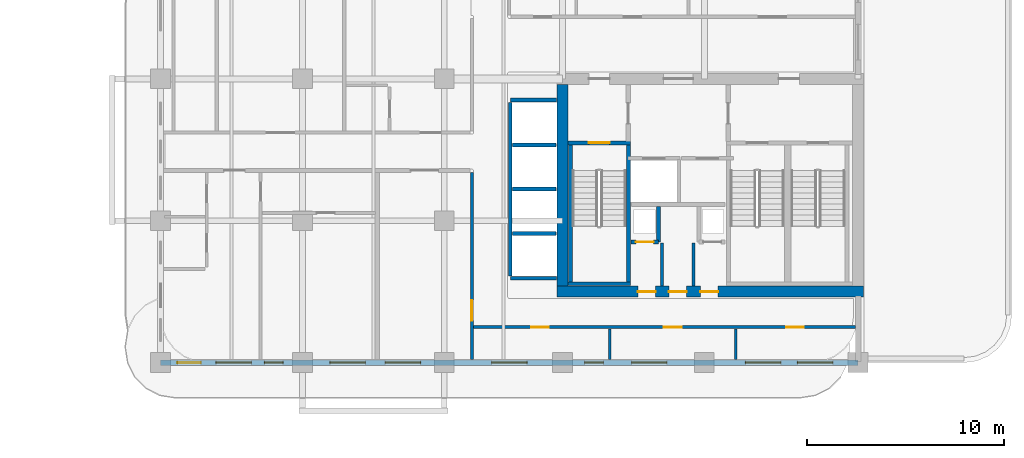
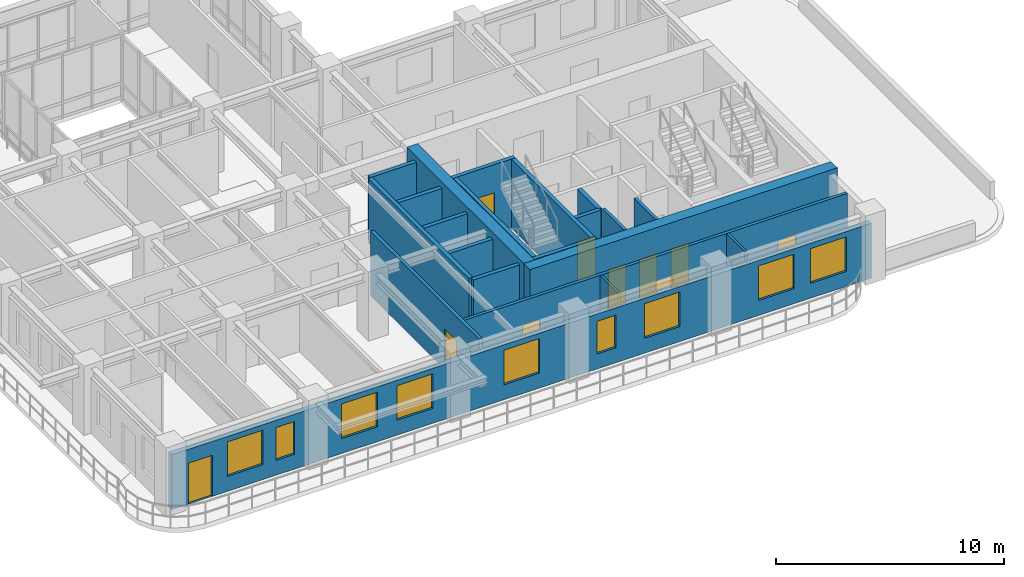
# One storey, part 12 of 20: 21 walls, 10 doors, 9 windows, 19 openings.
"""IFC4 building model written with IfcOpenShell, lengths in metres."""

from ifc_helpers import new_model, si_unit, derived_unit, direction, frame, frame_2d, origin, place, context, subcontext, project, spatial, rectangle, extrude, source, transform, mapped, material, layer, layer_set, type_object, type_shapes, element, fill, save


model = new_model("IFC4")

# Units and contexts
model_context = context("Model", 3, precision=1e-05, world=origin(), true_north=direction((0.0, 1.0)))
body_context = subcontext(model_context, "Body", "Model", "MODEL_VIEW")
ifc_project = project(units=[si_unit("LENGTHUNIT", "METRE"), si_unit("AREAUNIT", "SQUARE_METRE"), si_unit("VOLUMEUNIT", "CUBIC_METRE"), si_unit("PLANEANGLEUNIT", "RADIAN"), si_unit("MASSUNIT", "GRAM", prefix="KILO"), si_unit("THERMODYNAMICTEMPERATUREUNIT", "KELVIN"), si_unit("POWERUNIT", "WATT"), derived_unit("THERMALTRANSMITTANCEUNIT", [(si_unit("POWERUNIT", "WATT"), 1), (si_unit("AREAUNIT", "SQUARE_METRE"), -1), (si_unit("THERMODYNAMICTEMPERATUREUNIT", "KELVIN"), -1)])], contexts=[model_context])

# Site, building, storey
site_placement = place(None, origin())
site = spatial("IfcSite", under=ifc_project, at=site_placement, CompositionType="ELEMENT")
building_placement = place(site_placement, origin())
building = spatial("IfcBuilding", under=site, at=building_placement, Name="Zahravan Archway Hotel and Residences", CompositionType="ELEMENT")
storey_placement = place(building_placement, frame((0.0, 0.0, 111.800048828125)))
storey = spatial("IfcBuildingStorey", under=building, at=storey_placement, Name="L27", CompositionType="ELEMENT", Elevation=111.800048828125)

# Wall, openings, doors
ifc_material_1 = material(Name="Concrete C70/85", Category="concrete")
ifc_layer_1 = layer(ifc_material_1, 0.550048828125, Name="Concrete C70/85", Category="concrete")
ifc_layer_set_1 = layer_set([ifc_layer_1], Name="Concrete C70/85")
wall_type_1 = type_object("IfcWallType", Name="CW-CORE-550", PredefinedType="SHEAR", material=ifc_layer_set_1)
wall_1_placement = place(storey_placement, frame((34.52490234375, 3.60009765625, 0.0), z_axis=(0.0, 0.0, 1.0), x_axis=(1.0, 0.0, 0.0)))
wall_1 = element("IfcWall", 1, at=wall_1_placement, inside=storey, type_object=wall_type_1, Name="L27 Core A Shear S Wall 550 mm", PredefinedType="SHEAR", context=body_context, shape_type="SweptSolid", body=[
    extrude(rectangle(XDim=15.550048828125, YDim=0.550048828125, at=frame_2d((7.77490234375, 0.0))), origin(), (0.0, 0.0, 1.0), 3.699951171875),
])
opening_1_placement = place(wall_1_placement, frame((4.10498046875, 0.0, 0.0)))
opening_1 = element("IfcOpeningElement", 2, at=opening_1_placement, cuts=wall_1, Name="Opening FD-R1", PredefinedType="OPENING", context=body_context, shape_type="SweptSolid", body=[
    extrude(rectangle(XDim=0.89990234375, YDim=2.10009765625, at=frame_2d((0.449951171875, 1.050048828125))), frame((0.0, 0.28515625, 0.0), z_axis=(0.0, -1.0, 0.0), x_axis=(1.0, 0.0, 0.0)), (0.0, 0.0, 1.0), 0.570068359375),
])
opening_2_placement = place(wall_1_placement, frame((5.675048828125, 0.0, 0.0)))
opening_2 = element("IfcOpeningElement", 3, at=opening_2_placement, cuts=wall_1, Name="Opening FD-R1", PredefinedType="OPENING", context=body_context, shape_type="SweptSolid", body=[
    extrude(rectangle(XDim=0.89990234375, YDim=2.10009765625, at=frame_2d((0.449951171875, 1.050048828125))), frame((0.0, 0.28515625, 0.0), z_axis=(0.0, -1.0, 0.0), x_axis=(1.0, 0.0, 0.0)), (0.0, 0.0, 1.0), 0.570068359375),
])
opening_3_placement = place(wall_1_placement, frame((7.27490234375, 0.0, 0.0)))
opening_3 = element("IfcOpeningElement", 4, at=opening_3_placement, cuts=wall_1, Name="Opening FD-R1", PredefinedType="OPENING", context=body_context, shape_type="SweptSolid", body=[
    extrude(rectangle(XDim=0.89990234375, YDim=2.10009765625, at=frame_2d((0.449951171875, 1.050048828125))), frame((0.0, 0.28515625, 0.0), z_axis=(0.0, -1.0, 0.0), x_axis=(1.0, 0.0, 0.0)), (0.0, 0.0, 1.0), 0.570068359375),
])
ifc_material_2 = material(Name="Fire-Rated Painted Steel", Category="steel")
door_type_1 = type_object("IfcDoorType", Name="FD-RISER-900", OperationType="NOTDEFINED", PredefinedType="DOOR", material=ifc_material_2)
shared_shape_1 = source(origin(), body_context, "Body", "SweptSolid", [
    extrude(rectangle(XDim=0.89990234375, YDim=2.10009765625, at=frame_2d((0.449951171875, 1.050048828125))), frame((0.0, 0.02490234375, 0.0), z_axis=(0.0, -1.0, 0.0), x_axis=(1.0, 0.0, 0.0)), (0.0, 0.0, 1.0), 0.050048828125),
])
type_shapes(door_type_1, [shared_shape_1])
door_1_placement = place(opening_1_placement, origin())
door_1 = element("IfcDoor", 5, at=door_1_placement, inside=storey, type_object=door_type_1, Name="L27 Linen Store Door", OperationType="SINGLE_SWING_LEFT", OverallHeight=2.10009765625, OverallWidth=0.89990234375, PredefinedType="DOOR", context=body_context, shape_type="MappedRepresentation", body=[
    mapped(shared_shape_1, transform((0.0, 0.0, 0.0), scale=1.0)),
])
fill(opening_1, door_1)
door_2_placement = place(opening_2_placement, origin())
door_2 = element("IfcDoor", 6, at=door_2_placement, inside=storey, type_object=door_type_1, Name="L27 Housekeeping Store Door", OperationType="SINGLE_SWING_RIGHT", OverallHeight=2.10009765625, OverallWidth=0.89990234375, PredefinedType="DOOR", context=body_context, shape_type="MappedRepresentation", body=[
    mapped(shared_shape_1, transform((0.0, 0.0, 0.0), scale=1.0)),
])
fill(opening_2, door_2)
door_3_placement = place(opening_3_placement, origin())
door_3 = element("IfcDoor", 7, at=door_3_placement, inside=storey, type_object=door_type_1, Name="L27 Janitor Store Door", OperationType="SINGLE_SWING_LEFT", OverallHeight=2.10009765625, OverallWidth=0.89990234375, PredefinedType="DOOR", context=body_context, shape_type="MappedRepresentation", body=[
    mapped(shared_shape_1, transform((0.0, 0.0, 0.0), scale=1.0)),
])
fill(opening_3, door_3)

# Wall
wall_2_placement = place(storey_placement, frame((34.800048828125, 3.875, 0.0), z_axis=(0.0, 0.0, 1.0), x_axis=(0.0, 1.0, 0.0)))
element("IfcWall", 8, at=wall_2_placement, inside=storey, type_object=wall_type_1, Name="L27 Core A Shear W Wall 550 mm", PredefinedType="SHEAR", context=body_context, shape_type="SweptSolid", body=[
    extrude(rectangle(XDim=10.25, YDim=0.550048828125, at=frame_2d((5.125, 0.0))), origin(), (0.0, 0.0, 1.0), 3.699951171875),
])

# Wall, openings, door, windows
ifc_material_3 = material(Name="Honed Red-Ochre Sandstone & Insulated Block", Category="masonry")
ifc_layer_2 = layer(ifc_material_3, 0.280029296875, Name="Honed Red-Ochre Sandstone & Insulated Block", Category="masonry")
ifc_layer_set_2 = layer_set([ifc_layer_2], Name="Honed Red-Ochre Sandstone & Insulated Block")
wall_type_2 = type_object("IfcWallType", Name="EW-LOG-280", PredefinedType="SOLIDWALL", material=ifc_layer_set_2)
wall_3_placement = place(storey_placement, frame((14.39990234375, 0.0, 0.0), z_axis=(0.0, 0.0, 1.0), x_axis=(1.0, 0.0, 0.0)))
wall_3 = element("IfcWall", 9, at=wall_3_placement, inside=storey, type_object=wall_type_2, Name="L27 Exterior Sandstone Wall WA-S", PredefinedType="SOLIDWALL", context=body_context, shape_type="SweptSolid", body=[
    extrude(rectangle(XDim=35.400146484375, YDim=0.280029296875, at=frame_2d((17.7001953125, 0.0))), origin(), (0.0, 0.0, 1.0), 2.93505859375),
])
opening_4_placement = place(wall_3_placement, frame((0.85009765625, 0.0, 0.0)))
opening_4 = element("IfcOpeningElement", 10, at=opening_4_placement, cuts=wall_3, Name="Opening ED-BL1", PredefinedType="OPENING", context=body_context, shape_type="SweptSolid", body=[
    extrude(rectangle(XDim=1.199951171875, YDim=2.199951171875, at=frame_2d((0.60009765625, 1.10009765625))), frame((0.0, 0.14990234375, 0.0), z_axis=(0.0, -1.0, 0.0), x_axis=(1.0, 0.0, 0.0)), (0.0, 0.0, 1.0), 0.300048828125),
])
opening_5_placement = place(wall_3_placement, frame((2.81103515625, 0.0, 0.800048828125)))
opening_5 = element("IfcOpeningElement", 11, at=opening_5_placement, cuts=wall_3, Name="Opening W-02", PredefinedType="OPENING", context=body_context, shape_type="SweptSolid", body=[
    extrude(rectangle(XDim=1.800048828125, YDim=1.85009765625, at=frame_2d((0.89990234375, 0.925048828125))), frame((0.0, 0.14990234375, 0.0), z_axis=(0.0, -1.0, 0.0), x_axis=(1.0, 0.0, 0.0)), (0.0, 0.0, 1.0), 0.300048828125),
])
opening_6_placement = place(wall_3_placement, frame((5.26904296875, 0.0, 0.800048828125)))
opening_6 = element("IfcOpeningElement", 12, at=opening_6_placement, cuts=wall_3, Name="Opening W-04", PredefinedType="OPENING", context=body_context, shape_type="SweptSolid", body=[
    extrude(rectangle(XDim=0.949951171875, YDim=1.75, at=frame_2d((0.47509765625, 0.875))), frame((0.0, 0.14990234375, 0.0), z_axis=(0.0, -1.0, 0.0), x_axis=(1.0, 0.0, 0.0)), (0.0, 0.0, 1.0), 0.300048828125),
])
opening_7_placement = place(wall_3_placement, frame((8.595947265625, 0.0, 0.800048828125)))
opening_7 = element("IfcOpeningElement", 13, at=opening_7_placement, cuts=wall_3, Name="Opening W-02", PredefinedType="OPENING", context=body_context, shape_type="SweptSolid", body=[
    extrude(rectangle(XDim=1.800048828125, YDim=1.85009765625, at=frame_2d((0.89990234375, 0.925048828125))), frame((0.0, 0.14990234375, 0.0), z_axis=(0.0, -1.0, 0.0), x_axis=(1.0, 0.0, 0.0)), (0.0, 0.0, 1.0), 0.300048828125),
])
opening_8_placement = place(wall_3_placement, frame((11.404052734375, 0.0, 0.800048828125)))
opening_8 = element("IfcOpeningElement", 14, at=opening_8_placement, cuts=wall_3, Name="Opening W-02", PredefinedType="OPENING", context=body_context, shape_type="SweptSolid", body=[
    extrude(rectangle(XDim=1.800048828125, YDim=1.85009765625, at=frame_2d((0.89990234375, 0.925048828125))), frame((0.0, 0.14990234375, 0.0), z_axis=(0.0, -1.0, 0.0), x_axis=(1.0, 0.0, 0.0)), (0.0, 0.0, 1.0), 0.300048828125),
])
opening_9_placement = place(wall_3_placement, frame((16.803955078125, 0.0, 0.800048828125)))
opening_9 = element("IfcOpeningElement", 15, at=opening_9_placement, cuts=wall_3, Name="Opening W-02", PredefinedType="OPENING", context=body_context, shape_type="SweptSolid", body=[
    extrude(rectangle(XDim=1.800048828125, YDim=1.85009765625, at=frame_2d((0.89990234375, 0.925048828125))), frame((0.0, 0.14990234375, 0.0), z_axis=(0.0, -1.0, 0.0), x_axis=(1.0, 0.0, 0.0)), (0.0, 0.0, 1.0), 0.300048828125),
])
opening_10_placement = place(wall_3_placement, frame((21.52099609375, 0.0, 0.800048828125)))
opening_10 = element("IfcOpeningElement", 16, at=opening_10_placement, cuts=wall_3, Name="Opening W-04", PredefinedType="OPENING", context=body_context, shape_type="SweptSolid", body=[
    extrude(rectangle(XDim=0.949951171875, YDim=1.75, at=frame_2d((0.47509765625, 0.875))), frame((0.0, 0.14990234375, 0.0), z_axis=(0.0, -1.0, 0.0), x_axis=(1.0, 0.0, 0.0)), (0.0, 0.0, 1.0), 0.300048828125),
])
opening_11_placement = place(wall_3_placement, frame((23.904052734375, 0.0, 0.800048828125)))
opening_11 = element("IfcOpeningElement", 17, at=opening_11_placement, cuts=wall_3, Name="Opening W-02", PredefinedType="OPENING", context=body_context, shape_type="SweptSolid", body=[
    extrude(rectangle(XDim=1.800048828125, YDim=1.85009765625, at=frame_2d((0.89990234375, 0.925048828125))), frame((0.0, 0.14990234375, 0.0), z_axis=(0.0, -1.0, 0.0), x_axis=(1.0, 0.0, 0.0)), (0.0, 0.0, 1.0), 0.300048828125),
])
opening_12_placement = place(wall_3_placement, frame((29.680908203125, 0.0, 0.800048828125)))
opening_12 = element("IfcOpeningElement", 18, at=opening_12_placement, cuts=wall_3, Name="Opening W-02", PredefinedType="OPENING", context=body_context, shape_type="SweptSolid", body=[
    extrude(rectangle(XDim=1.800048828125, YDim=1.85009765625, at=frame_2d((0.89990234375, 0.925048828125))), frame((0.0, 0.14990234375, 0.0), z_axis=(0.0, -1.0, 0.0), x_axis=(1.0, 0.0, 0.0)), (0.0, 0.0, 1.0), 0.300048828125),
])
opening_13_placement = place(wall_3_placement, frame((32.326904296875, 0.0, 0.800048828125)))
opening_13 = element("IfcOpeningElement", 19, at=opening_13_placement, cuts=wall_3, Name="Opening W-02", PredefinedType="OPENING", context=body_context, shape_type="SweptSolid", body=[
    extrude(rectangle(XDim=1.800048828125, YDim=1.85009765625, at=frame_2d((0.89990234375, 0.925048828125))), frame((0.0, 0.14990234375, 0.0), z_axis=(0.0, -1.0, 0.0), x_axis=(1.0, 0.0, 0.0)), (0.0, 0.0, 1.0), 0.300048828125),
])
ifc_material_4 = material(Name="Bronze-Anodized Glazed Aluminium", Category="aluminium")
door_type_2 = type_object("IfcDoorType", Name="ED-BALC-1200", OperationType="SLIDING_TO_LEFT", PredefinedType="DOOR", material=ifc_material_4)
shared_shape_2 = source(origin(), body_context, "Body", "SweptSolid", [
    extrude(rectangle(XDim=1.199951171875, YDim=2.199951171875, at=frame_2d((0.60009765625, 1.10009765625))), frame((0.0, 0.02490234375, 0.0), z_axis=(0.0, -1.0, 0.0), x_axis=(1.0, 0.0, 0.0)), (0.0, 0.0, 1.0), 0.050048828125),
])
type_shapes(door_type_2, [shared_shape_2])
door_4_placement = place(opening_4_placement, origin())
door_4 = element("IfcDoor", 20, at=door_4_placement, inside=storey, type_object=door_type_2, Name="L27 Outdoor Access Sliding Door (SLB-BAL-L27-SA)", OperationType="SLIDING_TO_LEFT", OverallHeight=2.199951171875, OverallWidth=1.199951171875, PredefinedType="DOOR", context=body_context, shape_type="MappedRepresentation", body=[
    mapped(shared_shape_2, transform((0.0, 0.0, 0.0), scale=1.0)),
])
fill(opening_4, door_4)
ifc_material_5 = material(Name="Bronze-Anodized Thermal-Break Aluminium & Low-E Glass", Category="aluminium")
window_type_1 = type_object("IfcWindowType", Name="WIN-NAR-950", PartitioningType="SINGLE_PANEL", PredefinedType="WINDOW", material=ifc_material_5)
shared_shape_3 = source(origin(), body_context, "Body", "SweptSolid", [
    extrude(rectangle(XDim=0.949951171875, YDim=1.75, at=frame_2d((0.47509765625, 0.875))), frame((0.0, 0.030029296875, 0.0), z_axis=(0.0, -1.0, 0.0), x_axis=(1.0, 0.0, 0.0)), (0.0, 0.0, 1.0), 0.06005859375),
])
type_shapes(window_type_1, [shared_shape_3])
window_1_placement = place(opening_6_placement, origin())
window_1 = element("IfcWindow", 21, at=window_1_placement, inside=storey, type_object=window_type_1, Name="L27 Loggia Window 02", OverallHeight=1.75, OverallWidth=0.949951171875, PartitioningType="SINGLE_PANEL", PredefinedType="WINDOW", context=body_context, shape_type="MappedRepresentation", body=[
    mapped(shared_shape_3, transform((0.0, 0.0, 0.0), scale=1.0)),
])
fill(opening_6, window_1)
window_2_placement = place(opening_10_placement, origin())
window_2 = element("IfcWindow", 22, at=window_2_placement, inside=storey, type_object=window_type_1, Name="L27 Loggia Window 06", OverallHeight=1.75, OverallWidth=0.949951171875, PartitioningType="SINGLE_PANEL", PredefinedType="WINDOW", context=body_context, shape_type="MappedRepresentation", body=[
    mapped(shared_shape_3, transform((0.0, 0.0, 0.0), scale=1.0)),
])
fill(opening_10, window_2)
window_type_2 = type_object("IfcWindowType", Name="WIN-TWR-1800", PartitioningType="DOUBLE_PANEL_VERTICAL", PredefinedType="WINDOW", material=ifc_material_5)
shared_shape_4 = source(origin(), body_context, "Body", "SweptSolid", [
    extrude(rectangle(XDim=1.800048828125, YDim=1.85009765625, at=frame_2d((0.89990234375, 0.925048828125))), frame((0.0, 0.030029296875, 0.0), z_axis=(0.0, -1.0, 0.0), x_axis=(1.0, 0.0, 0.0)), (0.0, 0.0, 1.0), 0.06005859375),
])
type_shapes(window_type_2, [shared_shape_4])
window_3_placement = place(opening_5_placement, origin())
window_3 = element("IfcWindow", 23, at=window_3_placement, inside=storey, type_object=window_type_2, Name="L27 Loggia Window 01", OverallHeight=1.85009765625, OverallWidth=1.800048828125, PartitioningType="DOUBLE_PANEL_VERTICAL", PredefinedType="WINDOW", context=body_context, shape_type="MappedRepresentation", body=[
    mapped(shared_shape_4, transform((0.0, 0.0, 0.0), scale=1.0)),
])
fill(opening_5, window_3)
window_4_placement = place(opening_7_placement, origin())
window_4 = element("IfcWindow", 24, at=window_4_placement, inside=storey, type_object=window_type_2, Name="L27 Loggia Window 03", OverallHeight=1.85009765625, OverallWidth=1.800048828125, PartitioningType="DOUBLE_PANEL_VERTICAL", PredefinedType="WINDOW", context=body_context, shape_type="MappedRepresentation", body=[
    mapped(shared_shape_4, transform((0.0, 0.0, 0.0), scale=1.0)),
])
fill(opening_7, window_4)
window_5_placement = place(opening_8_placement, origin())
window_5 = element("IfcWindow", 25, at=window_5_placement, inside=storey, type_object=window_type_2, Name="L27 Loggia Window 04", OverallHeight=1.85009765625, OverallWidth=1.800048828125, PartitioningType="DOUBLE_PANEL_VERTICAL", PredefinedType="WINDOW", context=body_context, shape_type="MappedRepresentation", body=[
    mapped(shared_shape_4, transform((0.0, 0.0, 0.0), scale=1.0)),
])
fill(opening_8, window_5)
window_6_placement = place(opening_9_placement, origin())
window_6 = element("IfcWindow", 26, at=window_6_placement, inside=storey, type_object=window_type_2, Name="L27 Loggia Window 05", OverallHeight=1.85009765625, OverallWidth=1.800048828125, PartitioningType="DOUBLE_PANEL_VERTICAL", PredefinedType="WINDOW", context=body_context, shape_type="MappedRepresentation", body=[
    mapped(shared_shape_4, transform((0.0, 0.0, 0.0), scale=1.0)),
])
fill(opening_9, window_6)
window_7_placement = place(opening_11_placement, origin())
window_7 = element("IfcWindow", 27, at=window_7_placement, inside=storey, type_object=window_type_2, Name="L27 Loggia Window 07", OverallHeight=1.85009765625, OverallWidth=1.800048828125, PartitioningType="DOUBLE_PANEL_VERTICAL", PredefinedType="WINDOW", context=body_context, shape_type="MappedRepresentation", body=[
    mapped(shared_shape_4, transform((0.0, 0.0, 0.0), scale=1.0)),
])
fill(opening_11, window_7)
window_8_placement = place(opening_12_placement, origin())
window_8 = element("IfcWindow", 28, at=window_8_placement, inside=storey, type_object=window_type_2, Name="L27 Loggia Window 08", OverallHeight=1.85009765625, OverallWidth=1.800048828125, PartitioningType="DOUBLE_PANEL_VERTICAL", PredefinedType="WINDOW", context=body_context, shape_type="MappedRepresentation", body=[
    mapped(shared_shape_4, transform((0.0, 0.0, 0.0), scale=1.0)),
])
fill(opening_12, window_8)
window_9_placement = place(opening_13_placement, origin())
window_9 = element("IfcWindow", 29, at=window_9_placement, inside=storey, type_object=window_type_2, Name="L27 Loggia Window 09", OverallHeight=1.85009765625, OverallWidth=1.800048828125, PartitioningType="DOUBLE_PANEL_VERTICAL", PredefinedType="WINDOW", context=body_context, shape_type="MappedRepresentation", body=[
    mapped(shared_shape_4, transform((0.0, 0.0, 0.0), scale=1.0)),
])
fill(opening_13, window_9)

# Wall, opening, door
ifc_material_6 = material(Name="Fire-Rated Gypsum & Concrete Block", Category="concrete")
ifc_layer_3 = layer(ifc_material_6, 0.159912109375, Name="Fire-Rated Gypsum & Concrete Block", Category="concrete")
ifc_layer_set_3 = layer_set([ifc_layer_3], Name="Fire-Rated Gypsum & Concrete Block")
wall_type_3 = type_object("IfcWallType", Name="PW-CORR-160", PredefinedType="PARTITIONING", material=ifc_layer_set_3)
wall_4_placement = place(storey_placement, frame((30.199951171875, 0.14794921875, 0.0), z_axis=(0.0, 0.0, 1.0), x_axis=(0.0, 1.0, 0.0)))
wall_4 = element("IfcWall", 30, at=wall_4_placement, inside=storey, type_object=wall_type_3, Name="L27 Partition WA-SRW", PredefinedType="PARTITIONING", context=body_context, shape_type="SweptSolid", body=[
    extrude(rectangle(XDim=9.511962890625, YDim=0.159912109375, at=frame_2d((4.755859375, 0.0))), origin(), (0.0, 0.0, 1.0), 3.449951171875),
])
opening_14_placement = place(wall_4_placement, frame((1.97705078125, 0.0, 0.0)))
opening_14 = element("IfcOpeningElement", 31, at=opening_14_placement, cuts=wall_4, Name="Opening FD-L2", PredefinedType="OPENING", context=body_context, shape_type="SweptSolid", body=[
    extrude(rectangle(XDim=1.050048828125, YDim=2.14990234375, at=frame_2d((0.52490234375, 1.074951171875))), frame((0.0, 0.08984375, 0.0), z_axis=(0.0, -1.0, 0.0), x_axis=(1.0, 0.0, 0.0)), (0.0, 0.0, 1.0), 0.179931640625),
])
door_type_3 = type_object("IfcDoorType", Name="FD-LOBBY-1100", OperationType="NOTDEFINED", PredefinedType="DOOR", material=ifc_material_2)
shared_shape_5 = source(origin(), body_context, "Body", "SweptSolid", [
    extrude(rectangle(XDim=1.050048828125, YDim=2.14990234375, at=frame_2d((0.52490234375, 1.074951171875))), frame((0.0, 0.02490234375, 0.0), z_axis=(0.0, -1.0, 0.0), x_axis=(1.0, 0.0, 0.0)), (0.0, 0.0, 1.0), 0.050048828125),
])
type_shapes(door_type_3, [shared_shape_5])
door_5_placement = place(opening_14_placement, origin())
door_5 = element("IfcDoor", 32, at=door_5_placement, inside=storey, type_object=door_type_3, Name="L27 South Riser Corridor Door", OperationType="SINGLE_SWING_LEFT", OverallHeight=2.14990234375, OverallWidth=1.050048828125, PredefinedType="DOOR", context=body_context, shape_type="MappedRepresentation", body=[
    mapped(shared_shape_5, transform((0.0, 0.0, 0.0), scale=1.0)),
])
fill(opening_14, door_5)

# Wall, openings, doors
wall_5_placement = place(storey_placement, frame((30.2900390625, 1.800048828125, 0.0), z_axis=(0.0, 0.0, 1.0), x_axis=(1.0, 0.0, 0.0)))
wall_5 = element("IfcWall", 33, at=wall_5_placement, inside=storey, type_object=wall_type_3, Name="L27 Partition WA-SRS", PredefinedType="PARTITIONING", context=body_context, shape_type="SweptSolid", body=[
    extrude(rectangle(XDim=19.369873046875, YDim=0.159912109375, at=frame_2d((9.68505859375, 0.0))), origin(), (0.0, 0.0, 1.0), 3.449951171875),
])
opening_15_placement = place(wall_5_placement, frame((2.916259765625, 0.0, 0.0)))
opening_15 = element("IfcOpeningElement", 34, at=opening_15_placement, cuts=wall_5, Name="Opening D-I2", PredefinedType="OPENING", context=body_context, shape_type="SweptSolid", body=[
    extrude(rectangle(XDim=0.89990234375, YDim=2.14990234375, at=frame_2d((0.449951171875, 1.074951171875))), frame((0.0, 0.08984375, 0.0), z_axis=(0.0, -1.0, 0.0), x_axis=(1.0, 0.0, 0.0)), (0.0, 0.0, 1.0), 0.179931640625),
])
opening_16_placement = place(wall_5_placement, frame((9.659912109375, 0.0, 0.0)))
opening_16 = element("IfcOpeningElement", 35, at=opening_16_placement, cuts=wall_5, Name="Opening D-I2", PredefinedType="OPENING", context=body_context, shape_type="SweptSolid", body=[
    extrude(rectangle(XDim=0.89990234375, YDim=2.14990234375, at=frame_2d((0.449951171875, 1.074951171875))), frame((0.0, 0.08984375, 0.0), z_axis=(0.0, -1.0, 0.0), x_axis=(1.0, 0.0, 0.0)), (0.0, 0.0, 1.0), 0.179931640625),
])
opening_17_placement = place(wall_5_placement, frame((15.860107421875, 0.0, 0.0)))
opening_17 = element("IfcOpeningElement", 36, at=opening_17_placement, cuts=wall_5, Name="Opening D-I2", PredefinedType="OPENING", context=body_context, shape_type="SweptSolid", body=[
    extrude(rectangle(XDim=0.89990234375, YDim=2.14990234375, at=frame_2d((0.449951171875, 1.074951171875))), frame((0.0, 0.08984375, 0.0), z_axis=(0.0, -1.0, 0.0), x_axis=(1.0, 0.0, 0.0)), (0.0, 0.0, 1.0), 0.179931640625),
])
ifc_material_7 = material(Name="Hardwood Veneer Timber", Category="wood")
door_type_4 = type_object("IfcDoorType", Name="ID-INT-900", OperationType="NOTDEFINED", PredefinedType="DOOR", material=ifc_material_7)
shared_shape_6 = source(origin(), body_context, "Body", "SweptSolid", [
    extrude(rectangle(XDim=0.89990234375, YDim=2.14990234375, at=frame_2d((0.449951171875, 1.074951171875))), frame((0.0, 0.02490234375, 0.0), z_axis=(0.0, -1.0, 0.0), x_axis=(1.0, 0.0, 0.0)), (0.0, 0.0, 1.0), 0.050048828125),
])
type_shapes(door_type_4, [shared_shape_6])
door_6_placement = place(opening_15_placement, origin())
door_6 = element("IfcDoor", 37, at=door_6_placement, inside=storey, type_object=door_type_4, Name="L27 South Office Door", OperationType="SINGLE_SWING_RIGHT", OverallHeight=2.14990234375, OverallWidth=0.89990234375, PredefinedType="DOOR", context=body_context, shape_type="MappedRepresentation", body=[
    mapped(shared_shape_6, transform((0.0, 0.0, 0.0), scale=1.0)),
])
fill(opening_15, door_6)
door_7_placement = place(opening_16_placement, origin())
door_7 = element("IfcDoor", 38, at=door_7_placement, inside=storey, type_object=door_type_4, Name="L27 South Meeting Door", OperationType="SINGLE_SWING_LEFT", OverallHeight=2.14990234375, OverallWidth=0.89990234375, PredefinedType="DOOR", context=body_context, shape_type="MappedRepresentation", body=[
    mapped(shared_shape_6, transform((0.0, 0.0, 0.0), scale=1.0)),
])
fill(opening_16, door_7)
door_8_placement = place(opening_17_placement, origin())
door_8 = element("IfcDoor", 39, at=door_8_placement, inside=storey, type_object=door_type_4, Name="L27 South Prayer Alcove Door", OperationType="SINGLE_SWING_RIGHT", OverallHeight=2.14990234375, OverallWidth=0.89990234375, PredefinedType="DOOR", context=body_context, shape_type="MappedRepresentation", body=[
    mapped(shared_shape_6, transform((0.0, 0.0, 0.0), scale=1.0)),
])
fill(opening_17, door_8)

# Walls
ifc_material_8 = material(Name="Acoustic Stud Partition")
ifc_layer_4 = layer(ifc_material_8, 0.125, Name="Acoustic Stud Partition")
ifc_layer_set_4 = layer_set([ifc_layer_4], Name="Acoustic Stud Partition")
wall_type_4 = type_object("IfcWallType", Name="PW-INT-125", PredefinedType="PARTITIONING", material=ifc_layer_set_4)
for number, where, z_axis, x_axis, name in (
    (40, (37.199951171875, 0.14794921875, 0.0), (0.0, 0.0, 1.0), (0.0, 1.0, 0.0), "L27 Partition S-DIV2A"),
    (41, (43.60009765625, 0.14794921875, 0.0), (0.0, 0.0, 1.0), (0.0, 1.0, 0.0), "L27 Partition S-DIV2B"),
):
    element("IfcWall", number, at=place(storey_placement, frame(where, z_axis=z_axis, x_axis=x_axis)), inside=storey, type_object=wall_type_4, Name=name, PredefinedType="PARTITIONING", context=body_context, shape_type="SweptSolid", body=[
        extrude(rectangle(XDim=1.56201171875, YDim=0.125, at=frame_2d((0.781005859375, 0.0))), origin(), (0.0, 0.0, 1.0), 3.449951171875),
    ])

# Wall, opening, door
ifc_layer_5 = layer(ifc_material_6, 0.199951171875, Name="Fire-Rated Gypsum & Concrete Block", Category="concrete")
ifc_layer_set_5 = layer_set([ifc_layer_5], Name="Fire-Rated Gypsum & Concrete Block")
wall_type_5 = type_object("IfcWallType", Name="PW-SHAFT-200", PredefinedType="PARTITIONING", material=ifc_layer_set_5)
wall_6_placement = place(storey_placement, frame((38.2900390625, 6.1201171875, 0.0), z_axis=(0.0, 0.0, 1.0), x_axis=(1.0, 0.0, 0.0)))
wall_6 = element("IfcWall", 42, at=wall_6_placement, inside=storey, type_object=wall_type_5, Name="L27 Partition CA-SMKS", PredefinedType="PARTITIONING", context=body_context, shape_type="SweptSolid", body=[
    extrude(rectangle(XDim=1.3798828125, YDim=0.199951171875, at=frame_2d((0.68994140625, 0.0))), origin(), (0.0, 0.0, 1.0), 3.449951171875),
])
opening_18_placement = place(wall_6_placement, frame((0.239990234375, 0.0, 0.0)))
opening_18 = element("IfcOpeningElement", 43, at=opening_18_placement, cuts=wall_6, Name="Opening FD-R1", PredefinedType="OPENING", context=body_context, shape_type="SweptSolid", body=[
    extrude(rectangle(XDim=0.89990234375, YDim=2.10009765625, at=frame_2d((0.449951171875, 1.050048828125))), frame((0.0, 0.10986328125, 0.0), z_axis=(0.0, -1.0, 0.0), x_axis=(1.0, 0.0, 0.0)), (0.0, 0.0, 1.0), 0.219970703125),
])
door_9_placement = place(opening_18_placement, origin())
door_9 = element("IfcDoor", 44, at=door_9_placement, inside=storey, type_object=door_type_1, Name="L27 Smoke Riser Access Door", OperationType="SINGLE_SWING_LEFT", OverallHeight=2.10009765625, OverallWidth=0.89990234375, PredefinedType="DOOR", context=body_context, shape_type="MappedRepresentation", body=[
    mapped(shared_shape_1, transform((0.0, 0.0, 0.0), scale=1.0)),
])
fill(opening_18, door_9)

# Walls
wall_7_placement = place(storey_placement, frame((39.679931640625, 6.1298828125, 0.0), z_axis=(0.0, 0.0, 1.0), x_axis=(0.0, 1.0, 0.0)))
element("IfcWall", 45, at=wall_7_placement, inside=storey, type_object=wall_type_5, Name="L27 Partition CA-SMKE", PredefinedType="PARTITIONING", context=body_context, shape_type="SweptSolid", body=[
    extrude(rectangle(XDim=1.7900390625, YDim=0.199951171875, at=frame_2d((0.89501953125, 0.0))), origin(), (0.0, 0.0, 1.0), 3.449951171875),
])
for number, where, z_axis, x_axis, name in (
    (46, (32.159912109375, 4.280029296875, 0.0), (0.0, 0.0, 1.0), (1.0, 0.0, 0.0), "L27 Partition B3-S"),
    (47, (32.159912109375, 13.320068359375, 0.0), (0.0, 0.0, 1.0), (1.0, 0.0, 0.0), "L27 Partition B3-N"),
):
    element("IfcWall", number, at=place(storey_placement, frame(where, z_axis=z_axis, x_axis=x_axis)), inside=storey, type_object=wall_type_5, Name=name, PredefinedType="PARTITIONING", context=body_context, shape_type="SweptSolid", body=[
        extrude(rectangle(XDim=2.335205078125, YDim=0.199951171875, at=frame_2d((1.16748046875, 0.0))), origin(), (0.0, 0.0, 1.0), 3.449951171875),
    ])
wall_8_placement = place(storey_placement, frame((32.14990234375, 4.389892578125, 0.0), z_axis=(0.0, 0.0, 1.0), x_axis=(0.0, 1.0, 0.0)))
element("IfcWall", 48, at=wall_8_placement, inside=storey, type_object=wall_type_5, Name="L27 Partition B3-W", PredefinedType="PARTITIONING", context=body_context, shape_type="SweptSolid", body=[
    extrude(rectangle(XDim=8.820068359375, YDim=0.199951171875, at=frame_2d((4.41015625, 0.0))), origin(), (0.0, 0.0, 1.0), 3.449951171875),
])
for number, where, z_axis, x_axis, name in (
    (49, (32.260009765625, 6.56005859375, 0.0), (0.0, 0.0, 1.0), (1.0, 0.0, 0.0), "L27 Partition B3-D"),
    (50, (32.260009765625, 8.800048828125, 0.0), (0.0, 0.0, 1.0), (1.0, 0.0, 0.0), "L27 Partition B3-D"),
    (51, (32.260009765625, 11.0400390625, 0.0), (0.0, 0.0, 1.0), (1.0, 0.0, 0.0), "L27 Partition B3-D"),
):
    element("IfcWall", number, at=place(storey_placement, frame(where, z_axis=z_axis, x_axis=x_axis)), inside=storey, type_object=wall_type_5, Name=name, PredefinedType="PARTITIONING", context=body_context, shape_type="SweptSolid", body=[
        extrude(rectangle(XDim=2.205078125, YDim=0.199951171875, at=frame_2d((1.1025390625, 0.0))), origin(), (0.0, 0.0, 1.0), 3.449951171875),
    ])
ifc_material_9 = material(Name="Moisture-Resistant Blockwork", Category="masonry")
ifc_layer_6 = layer(ifc_material_9, 0.139892578125, Name="Moisture-Resistant Blockwork", Category="masonry")
ifc_layer_set_6 = layer_set([ifc_layer_6], Name="Moisture-Resistant Blockwork")
wall_type_6 = type_object("IfcWallType", Name="PW-WET-140", PredefinedType="PARTITIONING", material=ifc_layer_set_6)
for number, where, z_axis, x_axis, name in (
    (52, (39.85009765625, 3.89501953125, 0.0), (0.0, 0.0, 1.0), (0.0, 1.0, 0.0), "L27 Partition CA-CV1A"),
    (53, (41.449951171875, 3.89501953125, 0.0), (0.0, 0.0, 1.0), (0.0, 1.0, 0.0), "L27 Partition CA-CV1B"),
):
    element("IfcWall", number, at=place(storey_placement, frame(where, z_axis=z_axis, x_axis=x_axis)), inside=storey, type_object=wall_type_6, Name=name, PredefinedType="PARTITIONING", context=body_context, shape_type="SweptSolid", body=[
        extrude(rectangle(XDim=2.18505859375, YDim=0.139892578125, at=frame_2d((1.092529296875, 0.0))), origin(), (0.0, 0.0, 1.0), 3.449951171875),
    ])
ifc_material_10 = material(Name="Concrete C50/60", Category="concrete")
ifc_layer_7 = layer(ifc_material_10, 0.199951171875, Name="Concrete C50/60", Category="concrete")
ifc_layer_set_7 = layer_set([ifc_layer_7], Name="Concrete C50/60")
wall_type_7 = type_object("IfcWallType", Name="SW-STAIR-200", PredefinedType="SHEAR", material=ifc_layer_set_7)
wall_9_placement = place(storey_placement, frame((35.074951171875, 4.0, 0.0), z_axis=(0.0, 0.0, 1.0), x_axis=(1.0, 0.0, 0.0)))
element("IfcWall", 54, at=wall_9_placement, inside=storey, type_object=wall_type_7, Name="L27 Stairwell RC Wall CA-SA1S", PredefinedType="SHEAR", context=body_context, shape_type="SweptSolid", body=[
    extrude(rectangle(XDim=3.1650390625, YDim=0.199951171875, at=frame_2d((1.58251953125, 0.0))), origin(), (0.0, 0.0, 1.0), 3.699951171875),
])
for number, where, z_axis, x_axis, name in (
    (55, (35.199951171875, 4.10009765625, 0.0), (0.0, 0.0, 1.0), (0.0, 1.0, 0.0), "L27 Stairwell RC Wall CA-SA1W"),
    (56, (38.139892578125, 4.10009765625, 0.0), (0.0, 0.0, 1.0), (0.0, 1.0, 0.0), "L27 Stairwell RC Wall CA-SA1E"),
):
    element("IfcWall", number, at=place(storey_placement, frame(where, z_axis=z_axis, x_axis=x_axis)), inside=storey, type_object=wall_type_7, Name=name, PredefinedType="SHEAR", context=body_context, shape_type="SweptSolid", body=[
        extrude(rectangle(XDim=6.949951171875, YDim=0.199951171875, at=frame_2d((3.47509765625, 0.0))), origin(), (0.0, 0.0, 1.0), 3.699951171875),
    ])

# Wall, opening, door
wall_10_placement = place(storey_placement, frame((35.074951171875, 11.14990234375, 0.0), z_axis=(0.0, 0.0, 1.0), x_axis=(1.0, 0.0, 0.0)))
wall_10 = element("IfcWall", 57, at=wall_10_placement, inside=storey, type_object=wall_type_7, Name="L27 Stairwell RC Wall CA-SA1N", PredefinedType="SHEAR", context=body_context, shape_type="SweptSolid", body=[
    extrude(rectangle(XDim=3.1650390625, YDim=0.199951171875, at=frame_2d((1.58251953125, 0.0))), origin(), (0.0, 0.0, 1.0), 3.699951171875),
])
opening_19_placement = place(wall_10_placement, frame((1.070068359375, 0.0, 0.0)))
opening_19 = element("IfcOpeningElement", 58, at=opening_19_placement, cuts=wall_10, Name="Opening FD-S1", PredefinedType="OPENING", context=body_context, shape_type="SweptSolid", body=[
    extrude(rectangle(XDim=1.050048828125, YDim=2.199951171875, at=frame_2d((0.52490234375, 1.10009765625))), frame((0.0, 0.10986328125, 0.0), z_axis=(0.0, -1.0, 0.0), x_axis=(1.0, 0.0, 0.0)), (0.0, 0.0, 1.0), 0.219970703125),
])
door_type_5 = type_object("IfcDoorType", Name="FD-STAIR-1100", OperationType="NOTDEFINED", PredefinedType="DOOR", material=ifc_material_2)
shared_shape_7 = source(origin(), body_context, "Body", "SweptSolid", [
    extrude(rectangle(XDim=1.050048828125, YDim=2.199951171875, at=frame_2d((0.52490234375, 1.10009765625))), frame((0.0, 0.02490234375, 0.0), z_axis=(0.0, -1.0, 0.0), x_axis=(1.0, 0.0, 0.0)), (0.0, 0.0, 1.0), 0.050048828125),
])
type_shapes(door_type_5, [shared_shape_7])
door_10_placement = place(opening_19_placement, origin())
door_10 = element("IfcDoor", 59, at=door_10_placement, inside=storey, type_object=door_type_5, Name="L27 Stair ST-A1 Door", OperationType="SINGLE_SWING_RIGHT", OverallHeight=2.199951171875, OverallWidth=1.050048828125, PredefinedType="DOOR", context=body_context, shape_type="MappedRepresentation", body=[
    mapped(shared_shape_7, transform((0.0, 0.0, 0.0), scale=1.0)),
])
fill(opening_19, door_10)

save(model, "model.ifc")
